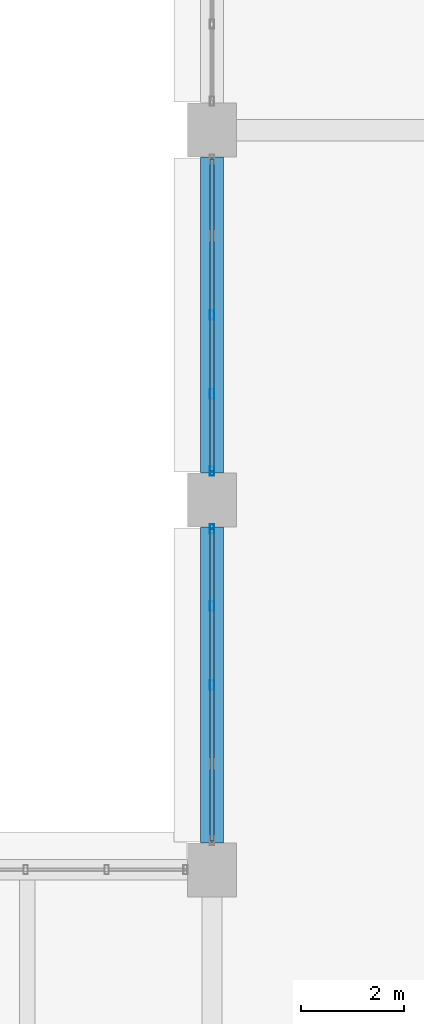
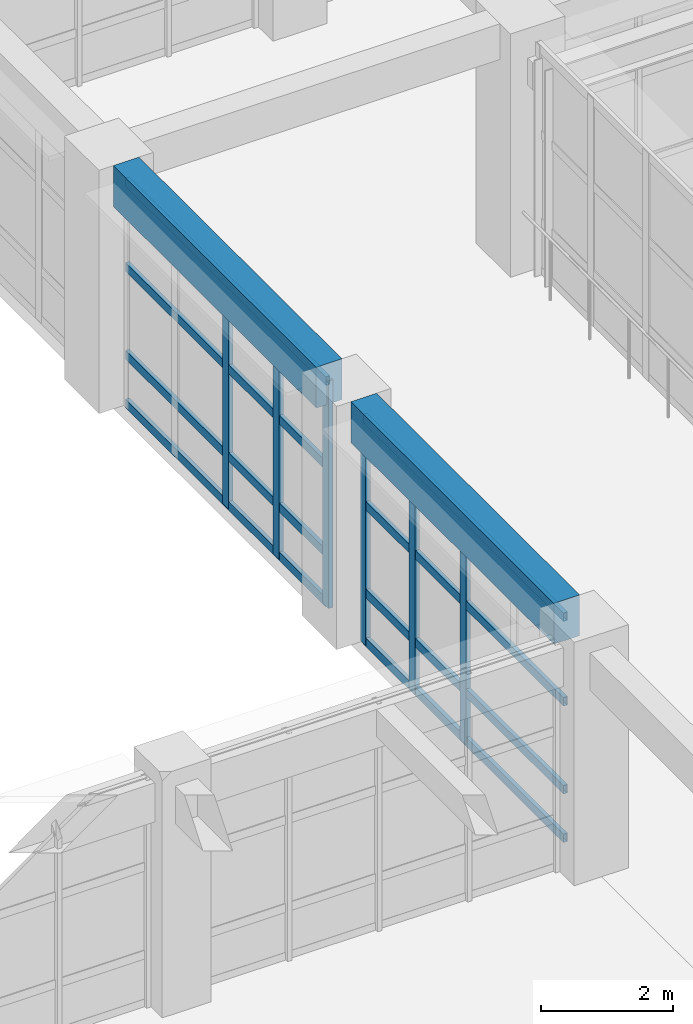
# One storey, part 42 of 171: 14 members, 2 beams, 2 elements without a shape of their own.
"""IFC4 building model written with IfcOpenShell, lengths in metres."""

from ifc_helpers import new_model, si_unit, direction, frame, origin, origin_2d, place, context, subcontext, project, spatial, rectangle, hollow_rectangle, extrude, material, material_profile, profile_set, type_object, element, aggregate, save


model = new_model("IFC4")

# Units and contexts
model_context = context("Model", 3, precision=1e-05, world=origin(), true_north=direction((0.0, 1.0)))
body_context = subcontext(model_context, "Body", "Model", "MODEL_VIEW")
ifc_project = project(units=[si_unit("LENGTHUNIT", "METRE"), si_unit("AREAUNIT", "SQUARE_METRE"), si_unit("VOLUMEUNIT", "CUBIC_METRE"), si_unit("PLANEANGLEUNIT", "RADIAN"), si_unit("MASSUNIT", "GRAM", prefix="KILO")], contexts=[model_context])

# Site, building, storey
site_placement = place(None, origin())
site = spatial("IfcSite", under=ifc_project, at=site_placement, CompositionType="ELEMENT")
building_placement = place(site_placement, origin())
building = spatial("IfcBuilding", under=site, at=building_placement, Name="Thalmaran Polytechnic", CompositionType="ELEMENT")
storey_placement = place(building_placement, frame((0.0, 0.0, 5.39990234375)))
storey = spatial("IfcBuildingStorey", under=building, at=storey_placement, Name="L01", CompositionType="ELEMENT", Elevation=5.39990234375)

# Beams
ifc_material_1 = material(Name="Concrete C40/50", Category="concrete")
ifc_material_profile_1 = material_profile(ifc_material_1, rectangle(XDim=0.449951171875, YDim=0.7548828125, at=origin_2d()), Name="RC 450x755")
ifc_profile_set_1 = profile_set([ifc_material_profile_1], Name="Concrete C40/50")
beam_type = type_object("IfcBeamType", Name="BM-SP02", PredefinedType="SPANDREL", material=ifc_profile_set_1)
beam_1_placement = place(storey_placement, frame((108.0, 36.52490234375, 4.12255859375), z_axis=(0.0, 1.0, 0.0), x_axis=(-1.0, 0.0, 0.0)))
element("IfcBeam", 1, at=beam_1_placement, inside=storey, type_object=beam_type, Name="Grid Beam SP02 L01 Y(15,5)", PredefinedType="SPANDREL", context=body_context, shape_type="SweptSolid", body=[
    extrude(rectangle(XDim=0.449951171875, YDim=0.7548828125, at=origin_2d()), origin(), (0.0, 0.0, 1.0), 6.150146484375),
])
beam_2_placement = place(storey_placement, frame((108.0, 43.72509765625, 4.12255859375), z_axis=(0.0, 1.0, 0.0), x_axis=(-1.0, 0.0, 0.0)))
element("IfcBeam", 2, at=beam_2_placement, inside=storey, type_object=beam_type, Name="Grid Beam SP02 L01 Y(15,6)", PredefinedType="SPANDREL", context=body_context, shape_type="SweptSolid", body=[
    extrude(rectangle(XDim=0.449951171875, YDim=0.7548828125, at=origin_2d()), origin(), (0.0, 0.0, 1.0), 6.14990234375),
])

# Curtain wall, members
ifc_material_2 = material(Name="Aluminium 6063-T6", Category="aluminium")
curtain_wall_type = type_object("IfcCurtainWallType", Name="CW-UC02", PredefinedType="USERDEFINED", material=ifc_material_2)
curtain_wall_1_placement = place(storey_placement, origin())
curtain_wall_1 = element("IfcCurtainWall", 3, at=curtain_wall_1_placement, inside=storey, type_object=curtain_wall_type, Name="Curtain Wall CW-L01-174", ObjectType="UNITISED CURTAIN WALL", PredefinedType="USERDEFINED")
ifc_material_profile_2 = material_profile(ifc_material_2, hollow_rectangle(XDim=0.080078125, YDim=0.179931640625, WallThickness=0.0048828125, at=origin_2d()), Name="RHS 180x80x5.0")
ifc_profile_set_2 = profile_set([ifc_material_profile_2], Name="Aluminium 6063-T6")
member_type_1 = type_object("IfcMemberType", Name="CW-MUL1", PredefinedType="MULLION", material=ifc_profile_set_2)
member_1_placement = place(storey_placement, frame((108.0, 39.60009765625, 0.0), z_axis=(0.0, 0.0, 1.0), x_axis=(1.0, 0.0, 0.0)))
member_1 = element("IfcMember", 4, at=member_1_placement, type_object=member_type_1, Name="CW-L01-174 Mullion 3", PredefinedType="MULLION", context=body_context, shape_type="SweptSolid", body=[
    extrude(hollow_rectangle(XDim=0.080078125, YDim=0.179931640625, WallThickness=0.0048828125, at=origin_2d()), origin(), (0.0, 0.0, 1.0), 4.210205078125),
])
member_2_placement = place(storey_placement, frame((108.0, 41.137451171875, 0.0), z_axis=(0.0, 0.0, 1.0), x_axis=(1.0, 0.0, 0.0)))
member_2 = element("IfcMember", 5, at=member_2_placement, type_object=member_type_1, Name="CW-L01-174 Mullion 4", PredefinedType="MULLION", context=body_context, shape_type="SweptSolid", body=[
    extrude(hollow_rectangle(XDim=0.080078125, YDim=0.179931640625, WallThickness=0.0048828125, at=origin_2d()), origin(), (0.0, 0.0, 1.0), 4.210205078125),
])
member_3_placement = place(storey_placement, frame((108.0, 42.635009765625, 0.0), z_axis=(0.0, 0.0, 1.0), x_axis=(1.0, 0.0, 0.0)))
member_3 = element("IfcMember", 6, at=member_3_placement, type_object=member_type_1, Name="CW-L01-174 Mullion 5", PredefinedType="MULLION", context=body_context, shape_type="SweptSolid", body=[
    extrude(hollow_rectangle(XDim=0.080078125, YDim=0.179931640625, WallThickness=0.0048828125, at=origin_2d()), origin(), (0.0, 0.0, 1.0), 4.210205078125),
])

curtain_wall_2_placement = place(storey_placement, origin())
curtain_wall_2 = element("IfcCurtainWall", 7, at=curtain_wall_2_placement, inside=storey, type_object=curtain_wall_type, Name="Curtain Wall CW-L01-175", ObjectType="UNITISED CURTAIN WALL", PredefinedType="USERDEFINED")
member_4_placement = place(storey_placement, frame((108.0, 43.764892578125, 0.0), z_axis=(0.0, 0.0, 1.0), x_axis=(1.0, 0.0, 0.0)))
member_4 = element("IfcMember", 8, at=member_4_placement, type_object=member_type_1, Name="CW-L01-175 Mullion 1", PredefinedType="MULLION", context=body_context, shape_type="SweptSolid", body=[
    extrude(hollow_rectangle(XDim=0.080078125, YDim=0.179931640625, WallThickness=0.0048828125, at=origin_2d()), origin(), (0.0, 0.0, 1.0), 4.210205078125),
])
member_5_placement = place(storey_placement, frame((108.0, 45.262451171875, 0.0), z_axis=(0.0, 0.0, 1.0), x_axis=(1.0, 0.0, 0.0)))
member_5 = element("IfcMember", 9, at=member_5_placement, type_object=member_type_1, Name="CW-L01-175 Mullion 2", PredefinedType="MULLION", context=body_context, shape_type="SweptSolid", body=[
    extrude(hollow_rectangle(XDim=0.080078125, YDim=0.179931640625, WallThickness=0.0048828125, at=origin_2d()), origin(), (0.0, 0.0, 1.0), 4.210205078125),
])
member_6_placement = place(storey_placement, frame((108.0, 46.800048828125, 0.0), z_axis=(0.0, 0.0, 1.0), x_axis=(1.0, 0.0, 0.0)))
member_6 = element("IfcMember", 10, at=member_6_placement, type_object=member_type_1, Name="CW-L01-175 Mullion 3", PredefinedType="MULLION", context=body_context, shape_type="SweptSolid", body=[
    extrude(hollow_rectangle(XDim=0.080078125, YDim=0.179931640625, WallThickness=0.0048828125, at=origin_2d()), origin(), (0.0, 0.0, 1.0), 4.210205078125),
])

# Member
ifc_material_profile_3 = material_profile(ifc_material_2, hollow_rectangle(XDim=0.070068359375, YDim=0.159912109375, WallThickness=0.00390625, at=origin_2d()), Name="AL 160x70x4.0")
ifc_profile_set_3 = profile_set([ifc_material_profile_3], Name="Aluminium 6063-T6")
member_type_2 = type_object("IfcMemberType", Name="CW-TRN1", PredefinedType="USERDEFINED", material=ifc_profile_set_3)
member_7_placement = place(storey_placement, frame((108.0, 36.56494140625, 0.06005859375), z_axis=(0.0, 1.0, 0.0), x_axis=(-1.0, 0.0, 0.0)))
member_7 = element("IfcMember", 11, at=member_7_placement, type_object=member_type_2, Name="CW-L01-174 Transom 1", ObjectType="TRANSOM", PredefinedType="USERDEFINED", context=body_context, shape_type="SweptSolid", body=[
    extrude(hollow_rectangle(XDim=0.070068359375, YDim=0.159912109375, WallThickness=0.00390625, at=origin_2d()), origin(), (0.0, 0.0, 1.0), 6.070068359375),
])

member_8_placement = place(storey_placement, frame((108.0, 36.56494140625, 0.960205078125), z_axis=(0.0, 1.0, 0.0), x_axis=(-1.0, 0.0, 0.0)))
member_8 = element("IfcMember", 12, at=member_8_placement, type_object=member_type_2, Name="CW-L01-174 Transom 2", ObjectType="TRANSOM", PredefinedType="USERDEFINED", context=body_context, shape_type="SweptSolid", body=[
    extrude(hollow_rectangle(XDim=0.070068359375, YDim=0.159912109375, WallThickness=0.00390625, at=origin_2d()), origin(), (0.0, 0.0, 1.0), 6.070068359375),
])

member_9_placement = place(storey_placement, frame((108.0, 36.56494140625, 2.585205078125), z_axis=(0.0, 1.0, 0.0), x_axis=(-1.0, 0.0, 0.0)))
member_9 = element("IfcMember", 13, at=member_9_placement, type_object=member_type_2, Name="CW-L01-174 Transom 3", ObjectType="TRANSOM", PredefinedType="USERDEFINED", context=body_context, shape_type="SweptSolid", body=[
    extrude(hollow_rectangle(XDim=0.070068359375, YDim=0.159912109375, WallThickness=0.00390625, at=origin_2d()), origin(), (0.0, 0.0, 1.0), 6.070068359375),
])

member_10_placement = place(storey_placement, frame((108.0, 36.56494140625, 4.150146484375), z_axis=(0.0, 1.0, 0.0), x_axis=(-1.0, 0.0, 0.0)))
member_10 = element("IfcMember", 14, at=member_10_placement, type_object=member_type_2, Name="CW-L01-174 Transom 4", ObjectType="TRANSOM", PredefinedType="USERDEFINED", context=body_context, shape_type="SweptSolid", body=[
    extrude(hollow_rectangle(XDim=0.070068359375, YDim=0.159912109375, WallThickness=0.00390625, at=origin_2d()), origin(), (0.0, 0.0, 1.0), 6.070068359375),
])

aggregate(curtain_wall_1, [member_1, member_2, member_3, member_7, member_8, member_9, member_10])

member_11_placement = place(storey_placement, frame((108.0, 43.764892578125, 0.06005859375), z_axis=(0.0, 1.0, 0.0), x_axis=(-1.0, 0.0, 0.0)))
member_11 = element("IfcMember", 15, at=member_11_placement, type_object=member_type_2, Name="CW-L01-175 Transom 1", ObjectType="TRANSOM", PredefinedType="USERDEFINED", context=body_context, shape_type="SweptSolid", body=[
    extrude(hollow_rectangle(XDim=0.070068359375, YDim=0.159912109375, WallThickness=0.00390625, at=origin_2d()), origin(), (0.0, 0.0, 1.0), 6.070068359375),
])

member_12_placement = place(storey_placement, frame((108.0, 43.764892578125, 0.960205078125), z_axis=(0.0, 1.0, 0.0), x_axis=(-1.0, 0.0, 0.0)))
member_12 = element("IfcMember", 16, at=member_12_placement, type_object=member_type_2, Name="CW-L01-175 Transom 2", ObjectType="TRANSOM", PredefinedType="USERDEFINED", context=body_context, shape_type="SweptSolid", body=[
    extrude(hollow_rectangle(XDim=0.070068359375, YDim=0.159912109375, WallThickness=0.00390625, at=origin_2d()), origin(), (0.0, 0.0, 1.0), 6.070068359375),
])

member_13_placement = place(storey_placement, frame((108.0, 43.764892578125, 2.585205078125), z_axis=(0.0, 1.0, 0.0), x_axis=(-1.0, 0.0, 0.0)))
member_13 = element("IfcMember", 17, at=member_13_placement, type_object=member_type_2, Name="CW-L01-175 Transom 3", ObjectType="TRANSOM", PredefinedType="USERDEFINED", context=body_context, shape_type="SweptSolid", body=[
    extrude(hollow_rectangle(XDim=0.070068359375, YDim=0.159912109375, WallThickness=0.00390625, at=origin_2d()), origin(), (0.0, 0.0, 1.0), 6.070068359375),
])

member_14_placement = place(storey_placement, frame((108.0, 43.764892578125, 4.150146484375), z_axis=(0.0, 1.0, 0.0), x_axis=(-1.0, 0.0, 0.0)))
member_14 = element("IfcMember", 18, at=member_14_placement, type_object=member_type_2, Name="CW-L01-175 Transom 4", ObjectType="TRANSOM", PredefinedType="USERDEFINED", context=body_context, shape_type="SweptSolid", body=[
    extrude(hollow_rectangle(XDim=0.070068359375, YDim=0.159912109375, WallThickness=0.00390625, at=origin_2d()), origin(), (0.0, 0.0, 1.0), 6.070068359375),
])

aggregate(curtain_wall_2, [member_4, member_5, member_6, member_11, member_12, member_13, member_14])

save(model, "model.ifc")
